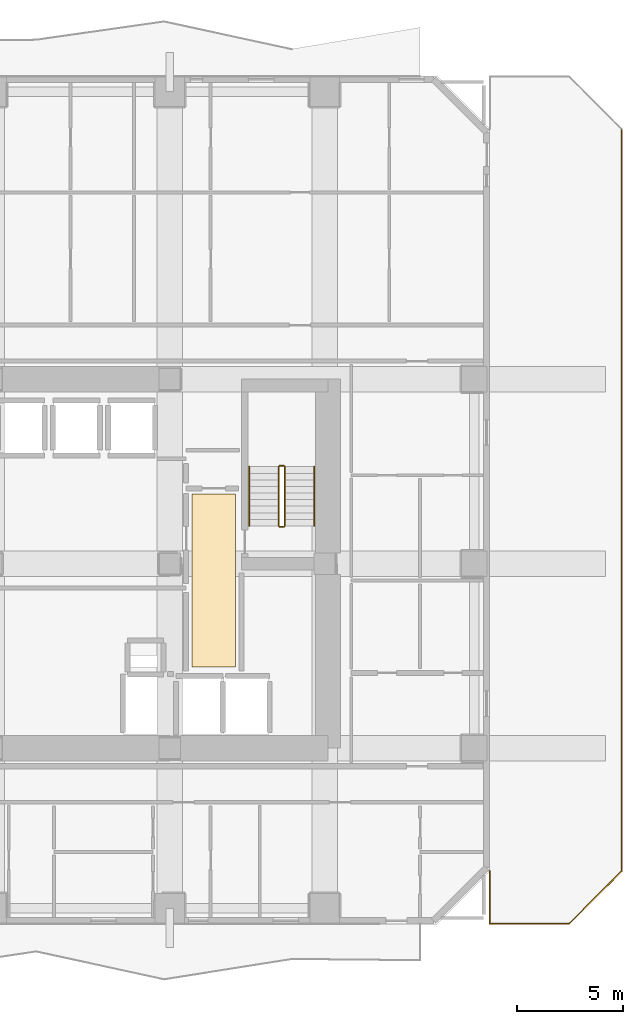
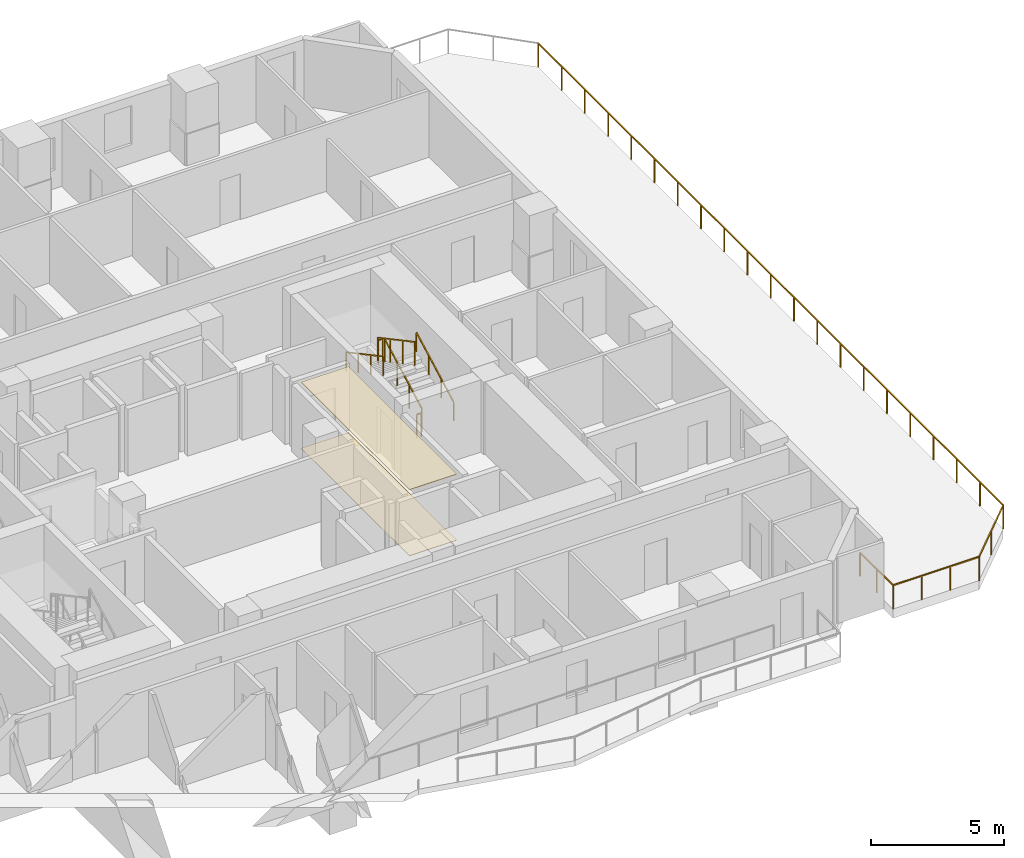
# One storey, part 11 of 12: 10 railings, 2 coverings.
"""IFC4 building model written with IfcOpenShell, lengths in metres."""

from ifc_helpers import new_model, si_unit, direction, frame, origin, origin_2d, place, context, subcontext, project, spatial, polyline, rectangle, outline, extrude, material, layer, layer_set, type_object, element, save


model = new_model("IFC4")

# Units and contexts
model_context = context("Model", 3, precision=1e-05, world=origin(), true_north=direction((0.0, 1.0)))
body_context = subcontext(model_context, "Body", "Model", "MODEL_VIEW")
ifc_project = project(units=[si_unit("LENGTHUNIT", "METRE"), si_unit("AREAUNIT", "SQUARE_METRE"), si_unit("VOLUMEUNIT", "CUBIC_METRE"), si_unit("PLANEANGLEUNIT", "RADIAN"), si_unit("MASSUNIT", "GRAM", prefix="KILO")], contexts=[model_context])

# Site, building, storey
site_placement = place(None, origin())
site = spatial("IfcSite", under=ifc_project, at=site_placement, CompositionType="ELEMENT")
building_placement = place(site_placement, origin())
building = spatial("IfcBuilding", under=site, at=building_placement, Name="Solanera Arch Residences", CompositionType="ELEMENT")
storey_placement = place(building_placement, frame((0.0, 0.0, 81.760009765625)))
storey = spatial("IfcBuildingStorey", under=building, at=storey_placement, Name="L23", CompositionType="ELEMENT", Elevation=81.760009765625)

# Railings
ifc_material_1 = material(Name="Steel S355 (ASTM A992 / A572 Grade 50)", Category="steel")
railing_type_1 = type_object("IfcRailingType", Name="Balustrade Railing BL-1100", PredefinedType="BALUSTRADE", material=ifc_material_1)
railing_1_placement = place(storey_placement, frame((44.280029296875, 16.2080078125, 0.0)))
element("IfcRailing", 1, at=railing_1_placement, inside=storey, type_object=railing_type_1, Name="L23 Sky Terrace Guardrail 1", PredefinedType="BALUSTRADE", context=body_context, shape_type="SweptSolid", body=[
    extrude(rectangle(XDim=0.048095703125, YDim=0.048095703125, at=origin_2d()), frame((0.0, 0.0, 1.09619140625), z_axis=(0.0, -1.0, 0.0), x_axis=(1.0, 0.0, 0.0)), (0.0, 0.0, 1.0), 2.488037109375),
    extrude(rectangle(XDim=0.0419921875, YDim=0.0419921875, at=origin_2d()), origin(), (0.0, 0.0, 1.0), 1.072021484375),
    extrude(rectangle(XDim=0.0419921875, YDim=0.0419921875, at=origin_2d()), frame((0.0, -1.244140625, 0.0)), (0.0, 0.0, 1.0), 1.072021484375),
    extrude(rectangle(XDim=0.0419921875, YDim=0.0419921875, at=origin_2d()), frame((0.0, -2.488037109375, 0.0)), (0.0, 0.0, 1.0), 1.072021484375),
])
railing_2_placement = place(storey_placement, frame((44.280029296875, 13.719970703125, 0.0)))
element("IfcRailing", 2, at=railing_2_placement, inside=storey, type_object=railing_type_1, Name="L23 Sky Terrace Guardrail 1", PredefinedType="BALUSTRADE", context=body_context, shape_type="SweptSolid", body=[
    extrude(rectangle(XDim=0.048095703125, YDim=0.048095703125, at=origin_2d()), frame((0.0, 0.0, 1.09619140625), z_axis=(1.0, 0.0, 0.0), x_axis=(0.0, 1.0, 0.0)), (0.0, 0.0, 1.0), 3.739990234375),
    extrude(rectangle(XDim=0.0419921875, YDim=0.0419921875, at=origin_2d()), origin(), (0.0, 0.0, 1.0), 1.072021484375),
    extrude(rectangle(XDim=0.0419921875, YDim=0.0419921875, at=origin_2d()), frame((1.24658203125, 0.0, 0.0)), (0.0, 0.0, 1.0), 1.072021484375),
    extrude(rectangle(XDim=0.0419921875, YDim=0.0419921875, at=origin_2d()), frame((2.493408203125, 0.0, 0.0)), (0.0, 0.0, 1.0), 1.072021484375),
    extrude(rectangle(XDim=0.0419921875, YDim=0.0419921875, at=origin_2d()), frame((3.739990234375, 0.0, 0.0)), (0.0, 0.0, 1.0), 1.072021484375),
])
railing_3_placement = place(storey_placement, frame((48.02001953125, 13.719970703125, 0.0)))
element("IfcRailing", 3, at=railing_3_placement, inside=storey, type_object=railing_type_1, Name="L23 Sky Terrace Guardrail 1", PredefinedType="BALUSTRADE", context=body_context, shape_type="SweptSolid", body=[
    extrude(rectangle(XDim=0.048095703125, YDim=0.048095703125, at=origin_2d()), frame((0.0, 0.0, 1.09619140625), z_axis=(0.707106781187, 0.707106781187, 0.0), x_axis=(-0.707106781187, 0.707106781187, 0.0)), (0.0, 0.0, 1.0), 3.50732421875),
    extrude(rectangle(XDim=0.0419921875, YDim=0.0419921875, at=origin_2d()), origin(), (0.0, 0.0, 1.0), 1.072021484375),
    extrude(rectangle(XDim=0.0419921875, YDim=0.0419921875, at=origin_2d()), frame((1.239990234375, 1.239990234375, 0.0)), (0.0, 0.0, 1.0), 1.072021484375),
    extrude(rectangle(XDim=0.0419921875, YDim=0.0419921875, at=origin_2d()), frame((2.47998046875, 2.47998046875, 0.0)), (0.0, 0.0, 1.0), 1.072021484375),
])
railing_4_placement = place(storey_placement, frame((50.5, 16.199951171875, 0.0)))
element("IfcRailing", 4, at=railing_4_placement, inside=storey, type_object=railing_type_1, Name="L23 Sky Terrace Guardrail 1", PredefinedType="BALUSTRADE", context=body_context, shape_type="SweptSolid", body=[
    extrude(rectangle(XDim=0.048095703125, YDim=0.048095703125, at=origin_2d()), frame((0.0, 0.0, 1.09619140625), z_axis=(0.0, 1.0, 0.0), x_axis=(-1.0, 0.0, 0.0)), (0.0, 0.0, 1.0), 35.0),
    extrude(rectangle(XDim=0.0419921875, YDim=0.0419921875, at=origin_2d()), origin(), (0.0, 0.0, 1.0), 1.072021484375),
    extrude(rectangle(XDim=0.0419921875, YDim=0.0419921875, at=origin_2d()), frame((0.0, 1.75, 0.0)), (0.0, 0.0, 1.0), 1.072021484375),
    extrude(rectangle(XDim=0.0419921875, YDim=0.0419921875, at=origin_2d()), frame((0.0, 3.5, 0.0)), (0.0, 0.0, 1.0), 1.072021484375),
    extrude(rectangle(XDim=0.0419921875, YDim=0.0419921875, at=origin_2d()), frame((0.0, 5.25, 0.0)), (0.0, 0.0, 1.0), 1.072021484375),
    extrude(rectangle(XDim=0.0419921875, YDim=0.0419921875, at=origin_2d()), frame((0.0, 7.0, 0.0)), (0.0, 0.0, 1.0), 1.072021484375),
    extrude(rectangle(XDim=0.0419921875, YDim=0.0419921875, at=origin_2d()), frame((0.0, 8.75, 0.0)), (0.0, 0.0, 1.0), 1.072021484375),
    extrude(rectangle(XDim=0.0419921875, YDim=0.0419921875, at=origin_2d()), frame((0.0, 10.5, 0.0)), (0.0, 0.0, 1.0), 1.072021484375),
    extrude(rectangle(XDim=0.0419921875, YDim=0.0419921875, at=origin_2d()), frame((0.0, 12.25, 0.0)), (0.0, 0.0, 1.0), 1.072021484375),
    extrude(rectangle(XDim=0.0419921875, YDim=0.0419921875, at=origin_2d()), frame((0.0, 14.0, 0.0)), (0.0, 0.0, 1.0), 1.072021484375),
    extrude(rectangle(XDim=0.0419921875, YDim=0.0419921875, at=origin_2d()), frame((0.0, 15.75, 0.0)), (0.0, 0.0, 1.0), 1.072021484375),
    extrude(rectangle(XDim=0.0419921875, YDim=0.0419921875, at=origin_2d()), frame((0.0, 17.5, 0.0)), (0.0, 0.0, 1.0), 1.072021484375),
    extrude(rectangle(XDim=0.0419921875, YDim=0.0419921875, at=origin_2d()), frame((0.0, 19.25, 0.0)), (0.0, 0.0, 1.0), 1.072021484375),
    extrude(rectangle(XDim=0.0419921875, YDim=0.0419921875, at=origin_2d()), frame((0.0, 21.0, 0.0)), (0.0, 0.0, 1.0), 1.072021484375),
    extrude(rectangle(XDim=0.0419921875, YDim=0.0419921875, at=origin_2d()), frame((0.0, 22.75, 0.0)), (0.0, 0.0, 1.0), 1.072021484375),
    extrude(rectangle(XDim=0.0419921875, YDim=0.0419921875, at=origin_2d()), frame((0.0, 24.5, 0.0)), (0.0, 0.0, 1.0), 1.072021484375),
    extrude(rectangle(XDim=0.0419921875, YDim=0.0419921875, at=origin_2d()), frame((0.0, 26.25, 0.0)), (0.0, 0.0, 1.0), 1.072021484375),
    extrude(rectangle(XDim=0.0419921875, YDim=0.0419921875, at=origin_2d()), frame((0.0, 28.0, 0.0)), (0.0, 0.0, 1.0), 1.072021484375),
    extrude(rectangle(XDim=0.0419921875, YDim=0.0419921875, at=origin_2d()), frame((0.0, 29.75, 0.0)), (0.0, 0.0, 1.0), 1.072021484375),
    extrude(rectangle(XDim=0.0419921875, YDim=0.0419921875, at=origin_2d()), frame((0.0, 31.5, 0.0)), (0.0, 0.0, 1.0), 1.072021484375),
    extrude(rectangle(XDim=0.0419921875, YDim=0.0419921875, at=origin_2d()), frame((0.0, 33.25, 0.0)), (0.0, 0.0, 1.0), 1.072021484375),
    extrude(rectangle(XDim=0.0419921875, YDim=0.0419921875, at=origin_2d()), frame((0.0, 35.0, 0.0)), (0.0, 0.0, 1.0), 1.072021484375),
])

# Covering
ifc_material_2 = material(Name="Porcelain Acoustic Floor Tile", Category="ceramic")
ifc_layer_1 = layer(ifc_material_2, 0.02001953125)
ifc_layer_set_1 = layer_set([ifc_layer_1], Name="Porcelain Acoustic Floor Tile")
covering_type_1 = type_object("IfcCoveringType", Name="Porcelain Acoustic Floor Finish FLR-20", PredefinedType="FLOORING", material=ifc_layer_set_1)
covering_1_placement = place(storey_placement, origin())
element("IfcCovering", 5, at=covering_1_placement, inside=storey, type_object=covering_type_1, Name="L23-FFL-E Porcelain Floor Finish", PredefinedType="FLOORING", context=body_context, shape_type="SweptSolid", body=[
    extrude(outline(polyline([(32.304931640625, 25.824951171875), (30.25, 25.824951171875), (30.25, 33.97509765625), (32.304931640625, 33.97509765625), (32.304931640625, 25.824951171875)])), origin(), (0.0, 0.0, 1.0), 0.02001953125),
])

# Railings
ifc_material_3 = material(Name="Steel S355 (ASTM A992 / A572 Grade 50)", Category="steel")
railing_type_2 = type_object("IfcRailingType", Name="Stair Guardrail GR-1100", PredefinedType="GUARDRAIL", material=ifc_material_3)
railing_5_placement = place(storey_placement, frame((34.6298828125, 32.47998046875, 0.15087890625)))
element("IfcRailing", 6, at=railing_5_placement, inside=storey, type_object=railing_type_2, Name="L23 ST-T2 stair guard 1", PredefinedType="GUARDRAIL", context=body_context, shape_type="SweptSolid", body=[
    extrude(rectangle(XDim=0.048095703125, YDim=0.048095703125, at=origin_2d()), frame((0.0, 0.0, 1.076171875), z_axis=(0.0, 0.881548766853, 0.472092969298), x_axis=(-1.0, 0.0, 0.0)), (0.0, 0.0, 1.0), 3.1650390625),
    extrude(rectangle(XDim=0.0419921875, YDim=0.0419921875, at=origin_2d()), origin(), (0.0, 0.0, 1.0), 1.052001953125),
    extrude(rectangle(XDim=0.0419921875, YDim=0.0419921875, at=origin_2d()), frame((0.0, 0.929931640625, 0.498046875)), (0.0, 0.0, 1.0), 1.052001953125),
    extrude(rectangle(XDim=0.0419921875, YDim=0.0419921875, at=origin_2d()), frame((0.0, 1.860107421875, 0.99609375)), (0.0, 0.0, 1.0), 1.052001953125),
    extrude(rectangle(XDim=0.0419921875, YDim=0.0419921875, at=origin_2d()), frame((0.0, 2.7900390625, 1.494140625)), (0.0, 0.0, 1.0), 1.052001953125),
])
railing_6_placement = place(storey_placement, frame((34.580078125, 35.320068359375, 1.64501953125)))
element("IfcRailing", 7, at=railing_6_placement, inside=storey, type_object=railing_type_2, Name="L23 ST-T2 stair guard 2", PredefinedType="GUARDRAIL", context=body_context, shape_type="SweptSolid", body=[
    extrude(rectangle(XDim=0.048095703125, YDim=0.048095703125, at=origin_2d()), frame((0.0, 0.0, 1.076171875), z_axis=(-1.0, 0.0, 0.0), x_axis=(0.0, -1.0, 0.0)), (0.0, 0.0, 1.0), 0.2001953125),
    extrude(rectangle(XDim=0.0419921875, YDim=0.0419921875, at=origin_2d()), origin(), (0.0, 0.0, 1.0), 1.052001953125),
    extrude(rectangle(XDim=0.0419921875, YDim=0.0419921875, at=origin_2d()), frame((-0.2001953125, 0.0, 0.0)), (0.0, 0.0, 1.0), 1.052001953125),
])
railing_7_placement = place(storey_placement, frame((34.330078125, 35.27001953125, 1.81103515625)))
element("IfcRailing", 8, at=railing_7_placement, inside=storey, type_object=railing_type_2, Name="L23 ST-T2 stair guard 3", PredefinedType="GUARDRAIL", context=body_context, shape_type="SweptSolid", body=[
    extrude(rectangle(XDim=0.048095703125, YDim=0.048095703125, at=origin_2d()), frame((0.0, 0.0, 1.076171875), z_axis=(0.0, -0.881580869306, 0.472033018838), x_axis=(1.0, 0.0, 0.0)), (0.0, 0.0, 1.0), 3.164794921875),
    extrude(rectangle(XDim=0.0419921875, YDim=0.0419921875, at=origin_2d()), origin(), (0.0, 0.0, 1.0), 1.052001953125),
    extrude(rectangle(XDim=0.0419921875, YDim=0.0419921875, at=origin_2d()), frame((0.0, -0.929931640625, 0.498046875)), (0.0, 0.0, 1.0), 1.052001953125),
    extrude(rectangle(XDim=0.0419921875, YDim=0.0419921875, at=origin_2d()), frame((0.0, -1.860107421875, 0.995849609375)), (0.0, 0.0, 1.0), 1.052001953125),
    extrude(rectangle(XDim=0.0419921875, YDim=0.0419921875, at=origin_2d()), frame((0.0, -2.7900390625, 1.493896484375)), (0.0, 0.0, 1.0), 1.052001953125),
])
railing_8_placement = place(storey_placement, frame((34.580078125, 32.429931640625, -0.014892578125)))
element("IfcRailing", 9, at=railing_8_placement, inside=storey, type_object=railing_type_2, Name="L23 ST-T2 stair guard 4", PredefinedType="GUARDRAIL", context=body_context, shape_type="SweptSolid", body=[
    extrude(rectangle(XDim=0.048095703125, YDim=0.048095703125, at=origin_2d()), frame((0.0, 0.0, 1.076171875), z_axis=(-1.0, 0.0, 0.0), x_axis=(0.0, -1.0, 0.0)), (0.0, 0.0, 1.0), 0.2001953125),
    extrude(rectangle(XDim=0.0419921875, YDim=0.0419921875, at=origin_2d()), origin(), (0.0, 0.0, 1.0), 1.052001953125),
    extrude(rectangle(XDim=0.0419921875, YDim=0.0419921875, at=origin_2d()), frame((-0.2001953125, 0.0, 0.0)), (0.0, 0.0, 1.0), 1.052001953125),
])
ifc_material_4 = material(Name="Steel S355 (ASTM A992 / A572 Grade 50)", Category="steel")
railing_type_3 = type_object("IfcRailingType", Name="Stair Wall Handrail HR-920", PredefinedType="HANDRAIL", material=ifc_material_4)
railing_9_placement = place(storey_placement, frame((36.010009765625, 32.47998046875, 0.166015625)))
element("IfcRailing", 10, at=railing_9_placement, inside=storey, type_object=railing_type_3, Name="L23 ST-T2 stair handrail 1", PredefinedType="HANDRAIL", context=body_context, shape_type="SweptSolid", body=[
    extrude(rectangle(XDim=0.048095703125, YDim=0.048095703125, at=origin_2d()), frame((0.0, 0.0, 0.8759765625), z_axis=(0.0, 0.881580869306, 0.472033018838), x_axis=(-1.0, 0.0, 0.0)), (0.0, 0.0, 1.0), 3.164794921875),
    extrude(rectangle(XDim=0.0419921875, YDim=0.0419921875, at=origin_2d()), origin(), (0.0, 0.0, 1.0), 0.851806640625),
    extrude(rectangle(XDim=0.0419921875, YDim=0.0419921875, at=origin_2d()), frame((0.0, 0.929931640625, 0.498046875)), (0.0, 0.0, 1.0), 0.851806640625),
    extrude(rectangle(XDim=0.0419921875, YDim=0.0419921875, at=origin_2d()), frame((0.0, 1.860107421875, 0.995849609375)), (0.0, 0.0, 1.0), 0.851806640625),
    extrude(rectangle(XDim=0.0419921875, YDim=0.0419921875, at=origin_2d()), frame((0.0, 2.7900390625, 1.493896484375)), (0.0, 0.0, 1.0), 0.851806640625),
])
railing_10_placement = place(storey_placement, frame((32.949951171875, 35.27001953125, 1.825927734375)))
element("IfcRailing", 11, at=railing_10_placement, inside=storey, type_object=railing_type_3, Name="L23 ST-T2 stair handrail 2", PredefinedType="HANDRAIL", context=body_context, shape_type="SweptSolid", body=[
    extrude(rectangle(XDim=0.048095703125, YDim=0.048095703125, at=origin_2d()), frame((0.0, 0.0, 0.8759765625), z_axis=(0.0, -0.881548766853, 0.472092969298), x_axis=(1.0, 0.0, 0.0)), (0.0, 0.0, 1.0), 3.1650390625),
    extrude(rectangle(XDim=0.0419921875, YDim=0.0419921875, at=origin_2d()), origin(), (0.0, 0.0, 1.0), 0.851806640625),
    extrude(rectangle(XDim=0.0419921875, YDim=0.0419921875, at=origin_2d()), frame((0.0, -0.929931640625, 0.498046875)), (0.0, 0.0, 1.0), 0.851806640625),
    extrude(rectangle(XDim=0.0419921875, YDim=0.0419921875, at=origin_2d()), frame((0.0, -1.860107421875, 0.99609375)), (0.0, 0.0, 1.0), 0.851806640625),
    extrude(rectangle(XDim=0.0419921875, YDim=0.0419921875, at=origin_2d()), frame((0.0, -2.7900390625, 1.494140625)), (0.0, 0.0, 1.0), 0.851806640625),
])

# Covering
ifc_material_5 = material(Name="Mineral Fibre Acoustic Ceiling Board", Category="gypsum")
ifc_layer_2 = layer(ifc_material_5, 0.02490234375)
ifc_layer_set_2 = layer_set([ifc_layer_2], Name="Mineral Fibre Acoustic Ceiling Board")
covering_type_2 = type_object("IfcCoveringType", Name="Suspended Acoustic Ceiling Board CLG-25", PredefinedType="CEILING", material=ifc_layer_set_2)
covering_2_placement = place(storey_placement, frame((0.0, 0.0, 3.034912109375)))
element("IfcCovering", 12, at=covering_2_placement, inside=storey, type_object=covering_type_2, Name="L23-FFL-E Acoustic Ceiling", PredefinedType="CEILING", context=body_context, shape_type="SweptSolid", body=[
    extrude(outline(polyline([(32.304931640625, 25.824951171875), (30.25, 25.824951171875), (30.25, 33.97509765625), (32.304931640625, 33.97509765625), (32.304931640625, 25.824951171875)])), origin(), (0.0, 0.0, 1.0), 0.025146484375),
])

save(model, "model.ifc")
